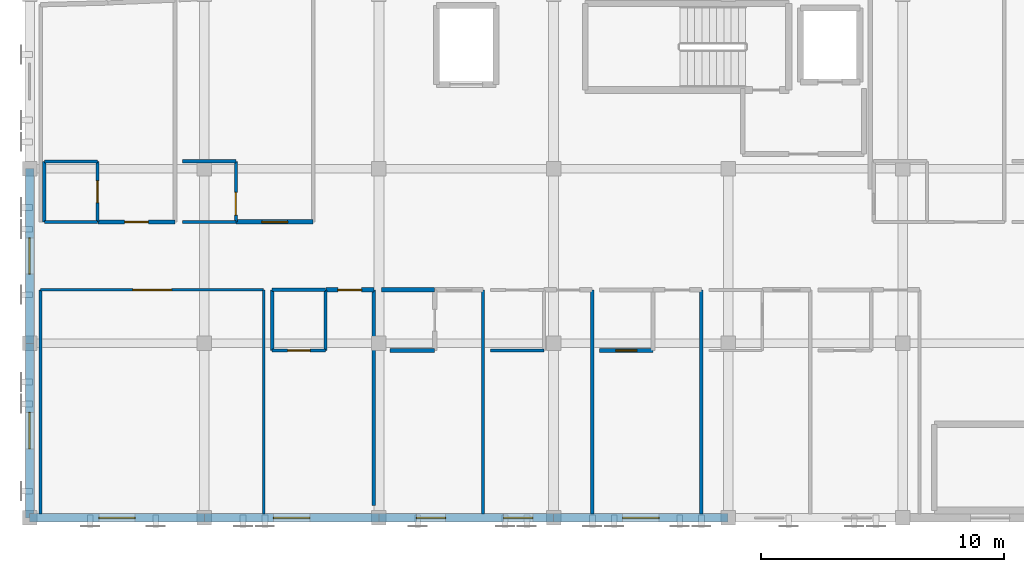
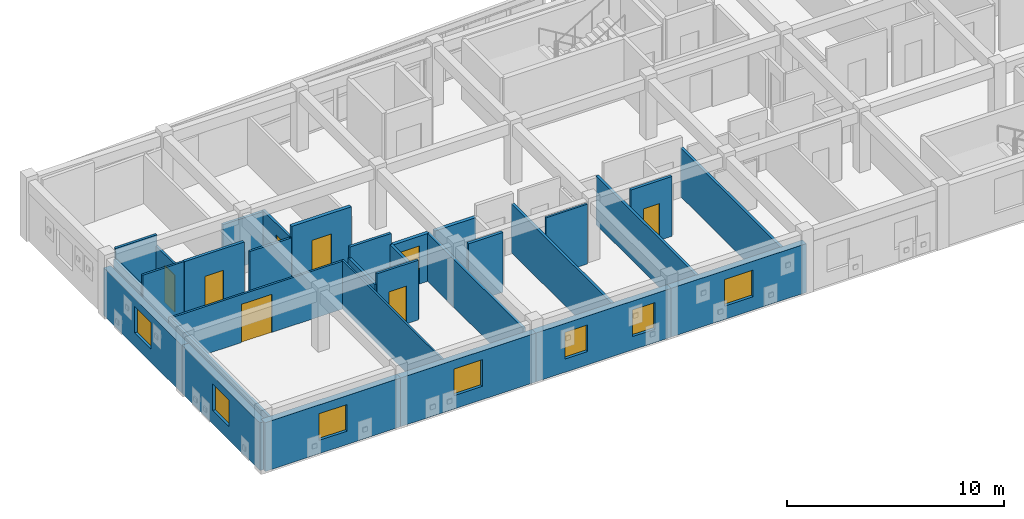
# One storey, part 38 of 51: 31 walls, 8 doors, 7 windows, 15 openings.
"""IFC4 building model written with IfcOpenShell, lengths in metres."""

from ifc_helpers import new_model, si_unit, direction, frame, frame_2d, origin, place, context, subcontext, project, spatial, rectangle, extrude, material, layer, layer_set, type_object, element, fill, save


model = new_model("IFC4")

# Units and contexts
model_context = context("Model", 3, precision=1e-05, world=origin(), true_north=direction((0.0, 1.0)))
body_context = subcontext(model_context, "Body", "Model", "MODEL_VIEW")
ifc_project = project(units=[si_unit("LENGTHUNIT", "METRE"), si_unit("AREAUNIT", "SQUARE_METRE"), si_unit("VOLUMEUNIT", "CUBIC_METRE"), si_unit("PLANEANGLEUNIT", "RADIAN"), si_unit("MASSUNIT", "GRAM", prefix="KILO")], contexts=[model_context])

# Site, building, storey
site_placement = place(None, origin())
site = spatial("IfcSite", under=ifc_project, at=site_placement, CompositionType="ELEMENT")
building_placement = place(site_placement, origin())
building = spatial("IfcBuilding", under=site, at=building_placement, Name="Carrowvane Square Congress Hotel", CompositionType="ELEMENT")
storey_placement = place(building_placement, frame((0.0, 0.0, 30.0)))
storey = spatial("IfcBuildingStorey", under=building, at=storey_placement, Name="L07", CompositionType="ELEMENT", Elevation=30.0)

# Wall, opening, window
ifc_material_1 = material(Name="Glazed terracotta rainscreen", Category="masonry")
ifc_layer_1 = layer(ifc_material_1, 0.360107421875)
ifc_layer_set_1 = layer_set([ifc_layer_1], Name="Glazed terracotta rainscreen")
wall_type_1 = type_object("IfcWallType", Name="WL-EXT-TC360", PredefinedType="STANDARD", material=ifc_layer_set_1)
wall_1_placement = place(storey_placement, frame((62.0, 91.800048828125, 0.0), z_axis=(0.0, 0.0, 1.0), x_axis=(-1.0, 0.0, 0.0)))
wall_1 = element("IfcWall", 1, at=wall_1_placement, inside=storey, type_object=wall_type_1, Name="L07 exterior facade wall 528", PredefinedType="STANDARD", context=body_context, shape_type="SweptSolid", body=[
    extrude(rectangle(XDim=7.199951171875, YDim=0.360107421875, at=frame_2d((3.60009765625, 0.0))), origin(), (0.0, 0.0, 1.0), 2.7451171875),
])
opening_1_placement = place(wall_1_placement, frame((2.85009765625, 0.0, 0.75)))
opening_1 = element("IfcOpeningElement", 2, at=opening_1_placement, cuts=wall_1, Name="Opening W-15", PredefinedType="OPENING", context=body_context, shape_type="SweptSolid", body=[
    extrude(rectangle(XDim=1.5, YDim=1.5, at=frame_2d((0.75, 0.75))), frame((0.0, 0.18994140625, 0.0), z_axis=(0.0, -1.0, 0.0), x_axis=(1.0, 0.0, 0.0)), (0.0, 0.0, 1.0), 0.380126953125),
])
ifc_material_2 = material(Name="Double-glazed low-E glass", Category="glass")
window_type_1 = type_object("IfcWindowType", Name="WIN-15", PartitioningType="SINGLE_PANEL", PredefinedType="WINDOW", material=ifc_material_2)
window_1_placement = place(opening_1_placement, origin())
window_1 = element("IfcWindow", 3, at=window_1_placement, inside=storey, type_object=window_type_1, Name="L07 facade window 367", OverallHeight=1.5, OverallWidth=1.5, PartitioningType="SINGLE_PANEL", PredefinedType="WINDOW", context=body_context, shape_type="SweptSolid", body=[
    extrude(rectangle(XDim=1.5, YDim=1.5, at=frame_2d((0.75, 0.75))), frame((0.0, 0.030029296875, 0.0), z_axis=(0.0, -1.0, 0.0), x_axis=(1.0, 0.0, 0.0)), (0.0, 0.0, 1.0), 0.06005859375),
])
fill(opening_1, window_1)

# Wall, openings, windows
wall_2_placement = place(storey_placement, frame((54.800048828125, 91.800048828125, 0.0), z_axis=(0.0, 0.0, 1.0), x_axis=(-1.0, 0.0, 0.0)))
wall_2 = element("IfcWall", 4, at=wall_2_placement, inside=storey, type_object=wall_type_1, Name="L07 exterior facade wall 529", PredefinedType="STANDARD", context=body_context, shape_type="SweptSolid", body=[
    extrude(rectangle(XDim=7.199951171875, YDim=0.360107421875, at=frame_2d((3.60009765625, 0.0))), origin(), (0.0, 0.0, 1.0), 2.7451171875),
])
opening_2_placement = place(wall_2_placement, frame((0.85498046875, 0.0, 0.75)))
opening_2 = element("IfcOpeningElement", 5, at=opening_2_placement, cuts=wall_2, Name="Opening W-01", PredefinedType="OPENING", context=body_context, shape_type="SweptSolid", body=[
    extrude(rectangle(XDim=1.199951171875, YDim=1.5, at=frame_2d((0.60009765625, 0.75))), frame((0.0, 0.18994140625, 0.0), z_axis=(0.0, -1.0, 0.0), x_axis=(1.0, 0.0, 0.0)), (0.0, 0.0, 1.0), 0.380126953125),
])
opening_3_placement = place(wall_2_placement, frame((4.455078125, 0.0, 0.75)))
opening_3 = element("IfcOpeningElement", 6, at=opening_3_placement, cuts=wall_2, Name="Opening W-01", PredefinedType="OPENING", context=body_context, shape_type="SweptSolid", body=[
    extrude(rectangle(XDim=1.199951171875, YDim=1.5, at=frame_2d((0.60009765625, 0.75))), frame((0.0, 0.18994140625, 0.0), z_axis=(0.0, -1.0, 0.0), x_axis=(1.0, 0.0, 0.0)), (0.0, 0.0, 1.0), 0.380126953125),
])
ifc_material_3 = material(Name="Double-glazed low-E glass", Category="glass")
window_type_2 = type_object("IfcWindowType", Name="WIN-01", PartitioningType="SINGLE_PANEL", PredefinedType="WINDOW", material=ifc_material_3)
window_2_placement = place(opening_2_placement, origin())
window_2 = element("IfcWindow", 7, at=window_2_placement, inside=storey, type_object=window_type_2, Name="L07 facade window 368", OverallHeight=1.5, OverallWidth=1.199951171875, PartitioningType="SINGLE_PANEL", PredefinedType="WINDOW", context=body_context, shape_type="SweptSolid", body=[
    extrude(rectangle(XDim=1.199951171875, YDim=1.5, at=frame_2d((0.60009765625, 0.75))), frame((0.0, 0.030029296875, 0.0), z_axis=(0.0, -1.0, 0.0), x_axis=(1.0, 0.0, 0.0)), (0.0, 0.0, 1.0), 0.06005859375),
])
fill(opening_2, window_2)
window_3_placement = place(opening_3_placement, origin())
window_3 = element("IfcWindow", 8, at=window_3_placement, inside=storey, type_object=window_type_2, Name="L07 split-bay facade window WIN-L07-0368-1", OverallHeight=1.5, OverallWidth=1.199951171875, PartitioningType="SINGLE_PANEL", PredefinedType="WINDOW", context=body_context, shape_type="SweptSolid", body=[
    extrude(rectangle(XDim=1.199951171875, YDim=1.5, at=frame_2d((0.60009765625, 0.75))), frame((0.0, 0.030029296875, 0.0), z_axis=(0.0, -1.0, 0.0), x_axis=(1.0, 0.0, 0.0)), (0.0, 0.0, 1.0), 0.06005859375),
])
fill(opening_3, window_3)

# Wall, opening, window
wall_3_placement = place(storey_placement, frame((47.60009765625, 91.800048828125, 0.0), z_axis=(0.0, 0.0, 1.0), x_axis=(-1.0, 0.0, 0.0)))
wall_3 = element("IfcWall", 9, at=wall_3_placement, inside=storey, type_object=wall_type_1, Name="L07 exterior facade wall 530", PredefinedType="STANDARD", context=body_context, shape_type="SweptSolid", body=[
    extrude(rectangle(XDim=7.2001953125, YDim=0.360107421875, at=frame_2d((3.60009765625, 0.0))), origin(), (0.0, 0.0, 1.0), 2.7451171875),
])
opening_4_placement = place(wall_3_placement, frame((2.85009765625, 0.0, 0.75)))
opening_4 = element("IfcOpeningElement", 10, at=opening_4_placement, cuts=wall_3, Name="Opening W-15", PredefinedType="OPENING", context=body_context, shape_type="SweptSolid", body=[
    extrude(rectangle(XDim=1.5, YDim=1.5, at=frame_2d((0.75, 0.75))), frame((0.0, 0.18994140625, 0.0), z_axis=(0.0, -1.0, 0.0), x_axis=(1.0, 0.0, 0.0)), (0.0, 0.0, 1.0), 0.380126953125),
])
window_4_placement = place(opening_4_placement, origin())
window_4 = element("IfcWindow", 11, at=window_4_placement, inside=storey, type_object=window_type_1, Name="L07 facade window 369", OverallHeight=1.5, OverallWidth=1.5, PartitioningType="SINGLE_PANEL", PredefinedType="WINDOW", context=body_context, shape_type="SweptSolid", body=[
    extrude(rectangle(XDim=1.5, YDim=1.5, at=frame_2d((0.75, 0.75))), frame((0.0, 0.030029296875, 0.0), z_axis=(0.0, -1.0, 0.0), x_axis=(1.0, 0.0, 0.0)), (0.0, 0.0, 1.0), 0.06005859375),
])
fill(opening_4, window_4)

wall_4_placement = place(storey_placement, frame((40.39990234375, 91.800048828125, 0.0), z_axis=(0.0, 0.0, 1.0), x_axis=(-1.0, 0.0, 0.0)))
wall_4 = element("IfcWall", 12, at=wall_4_placement, inside=storey, type_object=wall_type_1, Name="L07 exterior facade wall 531", PredefinedType="STANDARD", context=body_context, shape_type="SweptSolid", body=[
    extrude(rectangle(XDim=7.199951171875, YDim=0.360107421875, at=frame_2d((3.60009765625, 0.0))), origin(), (0.0, 0.0, 1.0), 2.7451171875),
])
opening_5_placement = place(wall_4_placement, frame((2.85009765625, 0.0, 0.75)))
opening_5 = element("IfcOpeningElement", 13, at=opening_5_placement, cuts=wall_4, Name="Opening W-15", PredefinedType="OPENING", context=body_context, shape_type="SweptSolid", body=[
    extrude(rectangle(XDim=1.5, YDim=1.5, at=frame_2d((0.75, 0.75))), frame((0.0, 0.18994140625, 0.0), z_axis=(0.0, -1.0, 0.0), x_axis=(1.0, 0.0, 0.0)), (0.0, 0.0, 1.0), 0.380126953125),
])
window_5_placement = place(opening_5_placement, origin())
window_5 = element("IfcWindow", 14, at=window_5_placement, inside=storey, type_object=window_type_1, Name="L07 facade window 370", OverallHeight=1.5, OverallWidth=1.5, PartitioningType="SINGLE_PANEL", PredefinedType="WINDOW", context=body_context, shape_type="SweptSolid", body=[
    extrude(rectangle(XDim=1.5, YDim=1.5, at=frame_2d((0.75, 0.75))), frame((0.0, 0.030029296875, 0.0), z_axis=(0.0, -1.0, 0.0), x_axis=(1.0, 0.0, 0.0)), (0.0, 0.0, 1.0), 0.06005859375),
])
fill(opening_5, window_5)

wall_5_placement = place(storey_placement, frame((33.199951171875, 91.800048828125, 0.0), z_axis=(0.0, 0.0, 1.0), x_axis=(0.0, 1.0, 0.0)))
wall_5 = element("IfcWall", 15, at=wall_5_placement, inside=storey, type_object=wall_type_1, Name="L07 exterior facade wall 532", PredefinedType="STANDARD", context=body_context, shape_type="SweptSolid", body=[
    extrude(rectangle(XDim=7.199951171875, YDim=0.360107421875, at=frame_2d((3.60009765625, 0.0))), origin(), (0.0, 0.0, 1.0), 2.695068359375),
])
opening_6_placement = place(wall_5_placement, frame((2.85009765625, 0.0, 0.75)))
opening_6 = element("IfcOpeningElement", 16, at=opening_6_placement, cuts=wall_5, Name="Opening W-15", PredefinedType="OPENING", context=body_context, shape_type="SweptSolid", body=[
    extrude(rectangle(XDim=1.5, YDim=1.5, at=frame_2d((0.75, 0.75))), frame((0.0, 0.18994140625, 0.0), z_axis=(0.0, -1.0, 0.0), x_axis=(1.0, 0.0, 0.0)), (0.0, 0.0, 1.0), 0.380126953125),
])
window_6_placement = place(opening_6_placement, origin())
window_6 = element("IfcWindow", 17, at=window_6_placement, inside=storey, type_object=window_type_1, Name="L07 facade window 371", OverallHeight=1.5, OverallWidth=1.5, PartitioningType="SINGLE_PANEL", PredefinedType="WINDOW", context=body_context, shape_type="SweptSolid", body=[
    extrude(rectangle(XDim=1.5, YDim=1.5, at=frame_2d((0.75, 0.75))), frame((0.0, 0.030029296875, 0.0), z_axis=(0.0, -1.0, 0.0), x_axis=(1.0, 0.0, 0.0)), (0.0, 0.0, 1.0), 0.06005859375),
])
fill(opening_6, window_6)

wall_6_placement = place(storey_placement, frame((33.199951171875, 99.0, 0.0), z_axis=(0.0, 0.0, 1.0), x_axis=(0.0, 1.0, 0.0)))
wall_6 = element("IfcWall", 18, at=wall_6_placement, inside=storey, type_object=wall_type_1, Name="L07 exterior facade wall 533", PredefinedType="STANDARD", context=body_context, shape_type="SweptSolid", body=[
    extrude(rectangle(XDim=7.199951171875, YDim=0.360107421875, at=frame_2d((3.60009765625, 0.0))), origin(), (0.0, 0.0, 1.0), 2.695068359375),
])
opening_7_placement = place(wall_6_placement, frame((2.85009765625, 0.0, 0.75)))
opening_7 = element("IfcOpeningElement", 19, at=opening_7_placement, cuts=wall_6, Name="Opening W-15", PredefinedType="OPENING", context=body_context, shape_type="SweptSolid", body=[
    extrude(rectangle(XDim=1.5, YDim=1.5, at=frame_2d((0.75, 0.75))), frame((0.0, 0.18994140625, 0.0), z_axis=(0.0, -1.0, 0.0), x_axis=(1.0, 0.0, 0.0)), (0.0, 0.0, 1.0), 0.380126953125),
])
window_7_placement = place(opening_7_placement, origin())
window_7 = element("IfcWindow", 20, at=window_7_placement, inside=storey, type_object=window_type_1, Name="L07 facade window 372", OverallHeight=1.5, OverallWidth=1.5, PartitioningType="SINGLE_PANEL", PredefinedType="WINDOW", context=body_context, shape_type="SweptSolid", body=[
    extrude(rectangle(XDim=1.5, YDim=1.5, at=frame_2d((0.75, 0.75))), frame((0.0, 0.030029296875, 0.0), z_axis=(0.0, -1.0, 0.0), x_axis=(1.0, 0.0, 0.0)), (0.0, 0.0, 1.0), 0.06005859375),
])
fill(opening_7, window_7)

# Wall
ifc_material_4 = material(Name="Acoustic gypsum board", Category="gypsum")
ifc_layer_2 = layer(ifc_material_4, 0.155029296875)
ifc_layer_set_2 = layer_set([ifc_layer_2], Name="Acoustic gypsum board")
wall_type_2 = type_object("IfcWallType", Name="WL-FIR-155", PredefinedType="PARTITIONING", material=ifc_layer_set_2)
wall_7_placement = place(storey_placement, frame((49.89990234375, 98.699951171875, 0.0), z_axis=(0.0, 0.0, 1.0), x_axis=(-1.0, 0.0, 0.0)))
element("IfcWall", 21, at=wall_7_placement, inside=storey, type_object=wall_type_2, Name="L07 En-suite Bathroom 0702 partition", PredefinedType="PARTITIONING", context=body_context, shape_type="SweptSolid", body=[
    extrude(rectangle(XDim=1.83984375, YDim=0.155029296875, at=frame_2d((0.919921875, 0.0))), origin(), (0.0, 0.0, 1.0), 3.360107421875),
])

# Wall, opening, door
ifc_material_5 = material(Name="Acoustic gypsum board", Category="gypsum")
ifc_layer_3 = layer(ifc_material_5, 0.18505859375)
ifc_layer_set_3 = layer_set([ifc_layer_3], Name="Acoustic gypsum board")
wall_type_3 = type_object("IfcWallType", Name="WL-FIR-185", PredefinedType="PARTITIONING", material=ifc_layer_set_3)
wall_8_placement = place(storey_placement, frame((45.409912109375, 101.199951171875, 0.0), z_axis=(0.0, 0.0, 1.0), x_axis=(1.0, 0.0, 0.0)))
wall_8 = element("IfcWall", 22, at=wall_8_placement, inside=storey, type_object=wall_type_3, Name="L07 Hotel Guest Bedroom 0701 partition", PredefinedType="PARTITIONING", context=body_context, shape_type="SweptSolid", body=[
    extrude(rectangle(XDim=1.97998046875, YDim=0.18505859375, at=frame_2d((0.989990234375, 0.0))), origin(), (0.0, 0.0, 1.0), 2.695068359375),
])
opening_8_placement = place(wall_8_placement, frame((0.5, 0.0, 0.0)))
opening_8 = element("IfcOpeningElement", 23, at=opening_8_placement, cuts=wall_8, Name="Opening FD-07", PredefinedType="OPENING", context=body_context, shape_type="SweptSolid", body=[
    extrude(rectangle(XDim=0.97998046875, YDim=2.14990234375, at=frame_2d((0.489990234375, 1.074951171875))), frame((0.0, 0.1025390625, 0.0), z_axis=(0.0, -1.0, 0.0), x_axis=(1.0, 0.0, 0.0)), (0.0, 0.0, 1.0), 0.205078125),
])
ifc_material_6 = material(Name="European oak timber", Category="wood")
door_type_1 = type_object("IfcDoorType", Name="DR-FD30-0980x2150", OperationType="NOTDEFINED", PredefinedType="DOOR", material=ifc_material_6)
door_1_placement = place(opening_8_placement, origin())
door_1 = element("IfcDoor", 24, at=door_1_placement, inside=storey, type_object=door_type_1, Name="L07 Hotel Guest Bedroom 0701 entrance door", OperationType="SINGLE_SWING_RIGHT", OverallHeight=2.14990234375, OverallWidth=0.97998046875, PredefinedType="DOOR", context=body_context, shape_type="SweptSolid", body=[
    extrude(rectangle(XDim=0.97998046875, YDim=2.14990234375, at=frame_2d((0.489990234375, 1.074951171875))), frame((0.0, 0.02490234375, 0.0), z_axis=(0.0, -1.0, 0.0), x_axis=(1.0, 0.0, 0.0)), (0.0, 0.0, 1.0), 0.050048828125),
])
fill(opening_8, door_1)

# Wall
wall_9_placement = place(storey_placement, frame((47.699951171875, 101.199951171875, 0.0), z_axis=(0.0, 0.0, 1.0), x_axis=(1.0, 0.0, 0.0)))
element("IfcWall", 25, at=wall_9_placement, inside=storey, type_object=wall_type_3, Name="L07 En-suite Bathroom 0702 partition", PredefinedType="PARTITIONING", context=body_context, shape_type="SweptSolid", body=[
    extrude(rectangle(XDim=2.199951171875, YDim=0.18505859375, at=frame_2d((1.10009765625, 0.0))), origin(), (0.0, 0.0, 1.0), 2.695068359375),
])

# Wall, opening, door
wall_10_placement = place(storey_placement, frame((44.889892578125, 104.0, 0.0), z_axis=(0.0, 0.0, 1.0), x_axis=(-1.0, 0.0, 0.0)))
wall_10 = element("IfcWall", 26, at=wall_10_placement, inside=storey, type_object=wall_type_3, Name="L07 Parkview Suite 0712 partition", PredefinedType="PARTITIONING", context=body_context, shape_type="SweptSolid", body=[
    extrude(rectangle(XDim=3.179931640625, YDim=0.18505859375, at=frame_2d((1.58984375, 0.0))), origin(), (0.0, 0.0, 1.0), 3.360107421875),
])
opening_9_placement = place(wall_10_placement, frame((1.06005859375, 0.0, 0.0)))
opening_9 = element("IfcOpeningElement", 27, at=opening_9_placement, cuts=wall_10, Name="Opening FD-09", PredefinedType="OPENING", context=body_context, shape_type="SweptSolid", body=[
    extrude(rectangle(XDim=1.06005859375, YDim=2.199951171875, at=frame_2d((0.530029296875, 1.10009765625))), frame((0.0, 0.1025390625, 0.0), z_axis=(0.0, -1.0, 0.0), x_axis=(1.0, 0.0, 0.0)), (0.0, 0.0, 1.0), 0.205078125),
])
ifc_material_7 = material(Name="European oak timber", Category="wood")
door_type_2 = type_object("IfcDoorType", Name="DR-FD30-1060x2200", OperationType="NOTDEFINED", PredefinedType="DOOR", material=ifc_material_7)
door_2_placement = place(opening_9_placement, origin())
door_2 = element("IfcDoor", 28, at=door_2_placement, inside=storey, type_object=door_type_2, Name="L07 Parkview Suite 0712 entrance door", OperationType="SINGLE_SWING_RIGHT", OverallHeight=2.199951171875, OverallWidth=1.06005859375, PredefinedType="DOOR", context=body_context, shape_type="SweptSolid", body=[
    extrude(rectangle(XDim=1.06005859375, YDim=2.199951171875, at=frame_2d((0.530029296875, 1.10009765625))), frame((0.0, 0.02490234375, 0.0), z_axis=(0.0, -1.0, 0.0), x_axis=(1.0, 0.0, 0.0)), (0.0, 0.0, 1.0), 0.050048828125),
])
fill(opening_9, door_2)

# Wall
ifc_material_8 = material(Name="Acoustic gypsum board", Category="gypsum")
ifc_layer_4 = layer(ifc_material_8, 0.097900390625)
ifc_layer_set_4 = layer_set([ifc_layer_4], Name="Acoustic gypsum board")
wall_type_4 = type_object("IfcWallType", Name="WL-PRT-098", PredefinedType="PARTITIONING", material=ifc_layer_set_4)
wall_11_placement = place(storey_placement, frame((42.85009765625, 101.199951171875, 0.0), z_axis=(0.0, 0.0, 1.0), x_axis=(0.0, -1.0, 0.0)))
element("IfcWall", 29, at=wall_11_placement, inside=storey, type_object=wall_type_4, Name="L07 L07 Atrium Tea Salon partition", PredefinedType="PARTITIONING", context=body_context, shape_type="SweptSolid", body=[
    extrude(rectangle(XDim=9.239990234375, YDim=0.097900390625, at=frame_2d((4.6201171875, 0.0))), origin(), (0.0, 0.0, 1.0), 2.7451171875),
])

# Wall, opening, door
ifc_material_9 = material(Name="Acoustic gypsum board", Category="gypsum")
ifc_layer_5 = layer(ifc_material_9, 0.10791015625)
ifc_layer_set_5 = layer_set([ifc_layer_5], Name="Acoustic gypsum board")
wall_type_5 = type_object("IfcWallType", Name="WL-PRT-108", PredefinedType="PARTITIONING", material=ifc_layer_set_5)
wall_12_placement = place(storey_placement, frame((33.64990234375, 101.199951171875, 0.0), z_axis=(0.0, 0.0, 1.0), x_axis=(1.0, 0.0, 0.0)))
wall_12 = element("IfcWall", 30, at=wall_12_placement, inside=storey, type_object=wall_type_5, Name="L07 L07 Atrium Tea Salon partition", PredefinedType="PARTITIONING", context=body_context, shape_type="SweptSolid", body=[
    extrude(rectangle(XDim=9.2001953125, YDim=0.10791015625, at=frame_2d((4.60009765625, 0.0))), origin(), (0.0, 0.0, 1.0), 2.695068359375),
])
opening_10_placement = place(wall_12_placement, frame((3.800048828125, 0.0, 0.0)))
opening_10 = element("IfcOpeningElement", 31, at=opening_10_placement, cuts=wall_12, Name="Opening FD-04", PredefinedType="OPENING", context=body_context, shape_type="SweptSolid", body=[
    extrude(rectangle(XDim=1.60009765625, YDim=2.14990234375, at=frame_2d((0.800048828125, 1.074951171875))), frame((0.0, 0.06396484375, 0.0), z_axis=(0.0, -1.0, 0.0), x_axis=(1.0, 0.0, 0.0)), (0.0, 0.0, 1.0), 0.1279296875),
])
ifc_material_10 = material(Name="European oak timber", Category="wood")
door_type_3 = type_object("IfcDoorType", Name="DR-FD60-1600x2150", OperationType="DOUBLE_DOOR_SINGLE_SWING", PredefinedType="DOOR", material=ifc_material_10)
door_3_placement = place(opening_10_placement, origin())
door_3 = element("IfcDoor", 32, at=door_3_placement, inside=storey, type_object=door_type_3, Name="L07 L07 Atrium Tea Salon entrance door", OperationType="DOUBLE_DOOR_SINGLE_SWING", OverallHeight=2.14990234375, OverallWidth=1.60009765625, PredefinedType="DOOR", context=body_context, shape_type="SweptSolid", body=[
    extrude(rectangle(XDim=1.60009765625, YDim=2.14990234375, at=frame_2d((0.800048828125, 1.074951171875))), frame((0.0, 0.02490234375, 0.0), z_axis=(0.0, -1.0, 0.0), x_axis=(1.0, 0.0, 0.0)), (0.0, 0.0, 1.0), 0.050048828125),
])
fill(opening_10, door_3)

# Walls
for number, where, z_axis, x_axis, name in (
    (33, (54.39990234375, 98.699951171875, 0.0), (0.0, 0.0, 1.0), (-1.0, 0.0, 0.0), "L07 En-suite Bathroom 0703 partition"),
    (34, (36.0, 104.0, 0.0), (0.0, 0.0, 1.0), (-1.0, 0.0, 0.0), "L07 En-suite Bathroom 0711 partition"),
):
    element("IfcWall", number, at=place(storey_placement, frame(where, z_axis=z_axis, x_axis=x_axis)), inside=storey, type_object=wall_type_5, Name=name, PredefinedType="PARTITIONING", context=body_context, shape_type="SweptSolid", body=[
        extrude(rectangle(XDim=2.199951171875, YDim=0.10791015625, at=frame_2d((1.10009765625, 0.0))), origin(), (0.0, 0.0, 1.0), 3.360107421875),
    ])
ifc_material_11 = material(Name="Acoustic gypsum board", Category="gypsum")
ifc_layer_6 = layer(ifc_material_11, 0.117919921875)
ifc_layer_set_6 = layer_set([ifc_layer_6], Name="Acoustic gypsum board")
wall_type_6 = type_object("IfcWallType", Name="WL-PRT-118", PredefinedType="PARTITIONING", material=ifc_layer_set_6)
wall_13_placement = place(storey_placement, frame((33.64990234375, 91.9599609375, 0.0), z_axis=(0.0, 0.0, 1.0), x_axis=(0.0, 1.0, 0.0)))
element("IfcWall", 35, at=wall_13_placement, inside=storey, type_object=wall_type_6, Name="L07 L07 Atrium Tea Salon partition", PredefinedType="PARTITIONING", context=body_context, shape_type="SweptSolid", body=[
    extrude(rectangle(XDim=9.239990234375, YDim=0.117919921875, at=frame_2d((4.6201171875, 0.0))), origin(), (0.0, 0.0, 1.0), 2.7451171875),
])

# Wall, opening, door
wall_14_placement = place(storey_placement, frame((45.39990234375, 98.699951171875, 0.0), z_axis=(0.0, 0.0, 1.0), x_axis=(-1.0, 0.0, 0.0)))
wall_14 = element("IfcWall", 36, at=wall_14_placement, inside=storey, type_object=wall_type_6, Name="L07 En-suite Bathroom 0701 partition", PredefinedType="PARTITIONING", context=body_context, shape_type="SweptSolid", body=[
    extrude(rectangle(XDim=2.199951171875, YDim=0.117919921875, at=frame_2d((1.10009765625, 0.0))), origin(), (0.0, 0.0, 1.0), 3.360107421875),
])
opening_11_placement = place(wall_14_placement, frame((0.635009765625, 0.0, 0.0)))
opening_11 = element("IfcOpeningElement", 37, at=opening_11_placement, cuts=wall_14, Name="Opening ID-18", PredefinedType="OPENING", context=body_context, shape_type="SweptSolid", body=[
    extrude(rectangle(XDim=0.929931640625, YDim=2.1298828125, at=frame_2d((0.46484375, 1.06494140625))), frame((0.0, 0.06884765625, 0.0), z_axis=(0.0, -1.0, 0.0), x_axis=(1.0, 0.0, 0.0)), (0.0, 0.0, 1.0), 0.137939453125),
])
ifc_material_12 = material(Name="European oak timber", Category="wood")
door_type_4 = type_object("IfcDoorType", Name="DR-INT-0930x2130", OperationType="NOTDEFINED", PredefinedType="DOOR", material=ifc_material_12)
door_4_placement = place(opening_11_placement, origin())
door_4 = element("IfcDoor", 38, at=door_4_placement, inside=storey, type_object=door_type_4, Name="L07 En-suite Bathroom 0701 door", OperationType="SINGLE_SWING_LEFT", OverallHeight=2.1298828125, OverallWidth=0.929931640625, PredefinedType="DOOR", context=body_context, shape_type="SweptSolid", body=[
    extrude(rectangle(XDim=0.929931640625, YDim=2.1298828125, at=frame_2d((0.46484375, 1.06494140625))), frame((0.0, 0.02490234375, 0.0), z_axis=(0.0, -1.0, 0.0), x_axis=(1.0, 0.0, 0.0)), (0.0, 0.0, 1.0), 0.050048828125),
])
fill(opening_11, door_4)

wall_15_placement = place(storey_placement, frame((36.0, 106.5, 0.0), z_axis=(0.0, 0.0, 1.0), x_axis=(0.0, -1.0, 0.0)))
wall_15 = element("IfcWall", 39, at=wall_15_placement, inside=storey, type_object=wall_type_6, Name="L07 En-suite Bathroom 0711 partition", PredefinedType="PARTITIONING", context=body_context, shape_type="SweptSolid", body=[
    extrude(rectangle(XDim=2.5, YDim=0.117919921875, at=frame_2d((1.25, 0.0))), origin(), (0.0, 0.0, 1.0), 2.7451171875),
])
opening_12_placement = place(wall_15_placement, frame((0.800048828125, 0.0, 0.0)))
opening_12 = element("IfcOpeningElement", 40, at=opening_12_placement, cuts=wall_15, Name="Opening ID-02", PredefinedType="OPENING", context=body_context, shape_type="SweptSolid", body=[
    extrude(rectangle(XDim=0.89990234375, YDim=2.080078125, at=frame_2d((0.449951171875, 1.0400390625))), frame((0.0, 0.06884765625, 0.0), z_axis=(0.0, -1.0, 0.0), x_axis=(1.0, 0.0, 0.0)), (0.0, 0.0, 1.0), 0.137939453125),
])
ifc_material_13 = material(Name="European oak timber", Category="wood")
door_type_5 = type_object("IfcDoorType", Name="DR-INT-0900x2080", OperationType="NOTDEFINED", PredefinedType="DOOR", material=ifc_material_13)
door_5_placement = place(opening_12_placement, origin())
door_5 = element("IfcDoor", 41, at=door_5_placement, inside=storey, type_object=door_type_5, Name="L07 En-suite Bathroom 0711 door", OperationType="SINGLE_SWING_LEFT", OverallHeight=2.080078125, OverallWidth=0.89990234375, PredefinedType="DOOR", context=body_context, shape_type="SweptSolid", body=[
    extrude(rectangle(XDim=0.89990234375, YDim=2.080078125, at=frame_2d((0.449951171875, 1.0400390625))), frame((0.0, 0.02490234375, 0.0), z_axis=(0.0, -1.0, 0.0), x_axis=(1.0, 0.0, 0.0)), (0.0, 0.0, 1.0), 0.050048828125),
])
fill(opening_12, door_5)

# Walls
wall_16_placement = place(storey_placement, frame((41.699951171875, 104.0, 0.0), z_axis=(0.0, 0.0, 1.0), x_axis=(-1.0, 0.0, 0.0)))
element("IfcWall", 42, at=wall_16_placement, inside=storey, type_object=wall_type_6, Name="L07 En-suite Bathroom 0712 partition", PredefinedType="PARTITIONING", context=body_context, shape_type="SweptSolid", body=[
    extrude(rectangle(XDim=2.199951171875, YDim=0.117919921875, at=frame_2d((1.10009765625, 0.0))), origin(), (0.0, 0.0, 1.0), 2.695068359375),
])
ifc_material_14 = material(Name="Acoustic gypsum board", Category="gypsum")
ifc_layer_7 = layer(ifc_material_14, 0.1279296875)
ifc_layer_set_7 = layer_set([ifc_layer_7], Name="Acoustic gypsum board")
wall_type_7 = type_object("IfcWallType", Name="WL-PRT-128", PredefinedType="PARTITIONING", material=ifc_layer_set_7)
wall_17_placement = place(storey_placement, frame((45.39990234375, 101.199951171875, 0.0), z_axis=(0.0, 0.0, 1.0), x_axis=(0.0, -1.0, 0.0)))
element("IfcWall", 43, at=wall_17_placement, inside=storey, type_object=wall_type_7, Name="L07 En-suite Bathroom 0701 partition", PredefinedType="PARTITIONING", context=body_context, shape_type="SweptSolid", body=[
    extrude(rectangle(XDim=2.5, YDim=0.1279296875, at=frame_2d((1.25, 0.0))), origin(), (0.0, 0.0, 1.0), 2.7451171875),
])
wall_18_placement = place(storey_placement, frame((33.800048828125, 106.5, 0.0), z_axis=(0.0, 0.0, 1.0), x_axis=(1.0, 0.0, 0.0)))
element("IfcWall", 44, at=wall_18_placement, inside=storey, type_object=wall_type_7, Name="L07 En-suite Bathroom 0711 partition", PredefinedType="PARTITIONING", context=body_context, shape_type="SweptSolid", body=[
    extrude(rectangle(XDim=2.199951171875, YDim=0.1279296875, at=frame_2d((1.10009765625, 0.0))), origin(), (0.0, 0.0, 1.0), 3.360107421875),
])

# Wall, opening, door
wall_19_placement = place(storey_placement, frame((41.699951171875, 106.5, 0.0), z_axis=(0.0, 0.0, 1.0), x_axis=(0.0, -1.0, 0.0)))
wall_19 = element("IfcWall", 45, at=wall_19_placement, inside=storey, type_object=wall_type_7, Name="L07 En-suite Bathroom 0712 partition", PredefinedType="PARTITIONING", context=body_context, shape_type="SweptSolid", body=[
    extrude(rectangle(XDim=2.5, YDim=0.1279296875, at=frame_2d((1.25, 0.0))), origin(), (0.0, 0.0, 1.0), 2.7451171875),
])
opening_13_placement = place(wall_19_placement, frame((1.280029296875, 0.0, 0.0)))
opening_13 = element("IfcOpeningElement", 46, at=opening_13_placement, cuts=wall_19, Name="Opening ID-04", PredefinedType="OPENING", context=body_context, shape_type="SweptSolid", body=[
    extrude(rectangle(XDim=0.93994140625, YDim=2.1201171875, at=frame_2d((0.469970703125, 1.06005859375))), frame((0.0, 0.073974609375, 0.0), z_axis=(0.0, -1.0, 0.0), x_axis=(1.0, 0.0, 0.0)), (0.0, 0.0, 1.0), 0.14794921875),
])
ifc_material_15 = material(Name="European oak timber", Category="wood")
door_type_6 = type_object("IfcDoorType", Name="DR-INT-0940x2120", OperationType="NOTDEFINED", PredefinedType="DOOR", material=ifc_material_15)
door_6_placement = place(opening_13_placement, origin())
door_6 = element("IfcDoor", 47, at=door_6_placement, inside=storey, type_object=door_type_6, Name="L07 En-suite Bathroom 0712 door", OperationType="SINGLE_SWING_LEFT", OverallHeight=2.1201171875, OverallWidth=0.93994140625, PredefinedType="DOOR", context=body_context, shape_type="SweptSolid", body=[
    extrude(rectangle(XDim=0.93994140625, YDim=2.1201171875, at=frame_2d((0.469970703125, 1.06005859375))), frame((0.0, 0.02490234375, 0.0), z_axis=(0.0, -1.0, 0.0), x_axis=(1.0, 0.0, 0.0)), (0.0, 0.0, 1.0), 0.050048828125),
])
fill(opening_13, door_6)

# Walls
ifc_material_16 = material(Name="Acoustic gypsum board", Category="gypsum")
ifc_layer_8 = layer(ifc_material_16, 0.137939453125)
ifc_layer_set_8 = layer_set([ifc_layer_8], Name="Acoustic gypsum board")
wall_type_8 = type_object("IfcWallType", Name="WL-PRT-138", PredefinedType="PARTITIONING", material=ifc_layer_set_8)
wall_20_placement = place(storey_placement, frame((43.199951171875, 101.199951171875, 0.0), z_axis=(0.0, 0.0, 1.0), x_axis=(1.0, 0.0, 0.0)))
element("IfcWall", 48, at=wall_20_placement, inside=storey, type_object=wall_type_8, Name="L07 En-suite Bathroom 0701 partition", PredefinedType="PARTITIONING", context=body_context, shape_type="SweptSolid", body=[
    extrude(rectangle(XDim=2.199951171875, YDim=0.137939453125, at=frame_2d((1.10009765625, 0.0))), origin(), (0.0, 0.0, 1.0), 3.360107421875),
])
wall_21_placement = place(storey_placement, frame((47.389892578125, 101.199951171875, 0.0), z_axis=(0.0, 0.0, 1.0), x_axis=(0.0, -1.0, 0.0)))
element("IfcWall", 49, at=wall_21_placement, inside=storey, type_object=wall_type_8, Name="L07 Hotel Guest Bedroom 0701 partition", PredefinedType="PARTITIONING", context=body_context, shape_type="SweptSolid", body=[
    extrude(rectangle(XDim=8.8798828125, YDim=0.137939453125, at=frame_2d((4.43994140625, 0.0))), origin(), (0.0, 0.0, 1.0), 2.695068359375),
])
for number, where, z_axis, x_axis, name in (
    (50, (51.889892578125, 101.199951171875, 0.0), (0.0, 0.0, 1.0), (0.0, -1.0, 0.0), "L07 Hotel Guest Bedroom 0702 partition"),
    (51, (56.389892578125, 101.199951171875, 0.0), (0.0, 0.0, 1.0), (0.0, -1.0, 0.0), "L07 Hotel Guest Bedroom 0703 partition"),
    (52, (60.889892578125, 101.199951171875, 0.0), (0.0, 0.0, 1.0), (0.0, -1.0, 0.0), "L07 Hotel Guest Bedroom 0704 partition"),
):
    element("IfcWall", number, at=place(storey_placement, frame(where, z_axis=z_axis, x_axis=x_axis)), inside=storey, type_object=wall_type_8, Name=name, PredefinedType="PARTITIONING", context=body_context, shape_type="SweptSolid", body=[
        extrude(rectangle(XDim=9.239990234375, YDim=0.137939453125, at=frame_2d((4.6201171875, 0.0))), origin(), (0.0, 0.0, 1.0), 2.7451171875),
    ])
wall_22_placement = place(storey_placement, frame((33.800048828125, 104.0, 0.0), z_axis=(0.0, 0.0, 1.0), x_axis=(0.0, 1.0, 0.0)))
element("IfcWall", 53, at=wall_22_placement, inside=storey, type_object=wall_type_8, Name="L07 En-suite Bathroom 0711 partition", PredefinedType="PARTITIONING", context=body_context, shape_type="SweptSolid", body=[
    extrude(rectangle(XDim=2.5, YDim=0.137939453125, at=frame_2d((1.25, 0.0))), origin(), (0.0, 0.0, 1.0), 2.7451171875),
])
wall_23_placement = place(storey_placement, frame((39.5, 106.5, 0.0), z_axis=(0.0, 0.0, 1.0), x_axis=(1.0, 0.0, 0.0)))
element("IfcWall", 54, at=wall_23_placement, inside=storey, type_object=wall_type_8, Name="L07 En-suite Bathroom 0712 partition", PredefinedType="PARTITIONING", context=body_context, shape_type="SweptSolid", body=[
    extrude(rectangle(XDim=2.199951171875, YDim=0.137939453125, at=frame_2d((1.10009765625, 0.0))), origin(), (0.0, 0.0, 1.0), 2.695068359375),
])
ifc_material_17 = material(Name="Acoustic gypsum board", Category="gypsum")
ifc_layer_9 = layer(ifc_material_17, 0.14794921875)
ifc_layer_set_9 = layer_set([ifc_layer_9], Name="Acoustic gypsum board")
wall_type_9 = type_object("IfcWallType", Name="WL-PRT-148", PredefinedType="PARTITIONING", material=ifc_layer_set_9)
wall_24_placement = place(storey_placement, frame((43.199951171875, 98.699951171875, 0.0), z_axis=(0.0, 0.0, 1.0), x_axis=(0.0, 1.0, 0.0)))
element("IfcWall", 55, at=wall_24_placement, inside=storey, type_object=wall_type_9, Name="L07 En-suite Bathroom 0701 partition", PredefinedType="PARTITIONING", context=body_context, shape_type="SweptSolid", body=[
    extrude(rectangle(XDim=2.5, YDim=0.14794921875, at=frame_2d((1.25, 0.0))), origin(), (0.0, 0.0, 1.0), 2.7451171875),
])

# Wall, opening, door
wall_25_placement = place(storey_placement, frame((58.89990234375, 98.699951171875, 0.0), z_axis=(0.0, 0.0, 1.0), x_axis=(-1.0, 0.0, 0.0)))
wall_25 = element("IfcWall", 56, at=wall_25_placement, inside=storey, type_object=wall_type_9, Name="L07 En-suite Bathroom 0704 partition", PredefinedType="PARTITIONING", context=body_context, shape_type="SweptSolid", body=[
    extrude(rectangle(XDim=2.199951171875, YDim=0.14794921875, at=frame_2d((1.10009765625, 0.0))), origin(), (0.0, 0.0, 1.0), 3.360107421875),
])
opening_14_placement = place(wall_25_placement, frame((0.6650390625, 0.0, 0.0)))
opening_14 = element("IfcOpeningElement", 57, at=opening_14_placement, cuts=wall_25, Name="Opening ID-15", PredefinedType="OPENING", context=body_context, shape_type="SweptSolid", body=[
    extrude(rectangle(XDim=0.8701171875, YDim=2.070068359375, at=frame_2d((0.43505859375, 1.03515625))), frame((0.0, 0.083984375, 0.0), z_axis=(0.0, -1.0, 0.0), x_axis=(1.0, 0.0, 0.0)), (0.0, 0.0, 1.0), 0.16796875),
])
ifc_material_18 = material(Name="European oak timber", Category="wood")
door_type_7 = type_object("IfcDoorType", Name="DR-INT-0870x2070", OperationType="NOTDEFINED", PredefinedType="DOOR", material=ifc_material_18)
door_7_placement = place(opening_14_placement, origin())
door_7 = element("IfcDoor", 58, at=door_7_placement, inside=storey, type_object=door_type_7, Name="L07 En-suite Bathroom 0704 door", OperationType="SINGLE_SWING_LEFT", OverallHeight=2.070068359375, OverallWidth=0.8701171875, PredefinedType="DOOR", context=body_context, shape_type="SweptSolid", body=[
    extrude(rectangle(XDim=0.8701171875, YDim=2.070068359375, at=frame_2d((0.43505859375, 1.03515625))), frame((0.0, 0.02490234375, 0.0), z_axis=(0.0, -1.0, 0.0), x_axis=(1.0, 0.0, 0.0)), (0.0, 0.0, 1.0), 0.050048828125),
])
fill(opening_14, door_7)

wall_26_placement = place(storey_placement, frame((39.18994140625, 104.0, 0.0), z_axis=(0.0, 0.0, 1.0), x_axis=(-1.0, 0.0, 0.0)))
wall_26 = element("IfcWall", 59, at=wall_26_placement, inside=storey, type_object=wall_type_9, Name="L07 Parkview Suite 0711 partition", PredefinedType="PARTITIONING", context=body_context, shape_type="SweptSolid", body=[
    extrude(rectangle(XDim=3.179931640625, YDim=0.14794921875, at=frame_2d((1.58984375, 0.0))), origin(), (0.0, 0.0, 1.0), 3.360107421875),
])
opening_15_placement = place(wall_26_placement, frame((1.10009765625, 0.0, 0.0)))
opening_15 = element("IfcOpeningElement", 60, at=opening_15_placement, cuts=wall_26, Name="Opening FD-07", PredefinedType="OPENING", context=body_context, shape_type="SweptSolid", body=[
    extrude(rectangle(XDim=0.97998046875, YDim=2.14990234375, at=frame_2d((0.489990234375, 1.074951171875))), frame((0.0, 0.083984375, 0.0), z_axis=(0.0, -1.0, 0.0), x_axis=(1.0, 0.0, 0.0)), (0.0, 0.0, 1.0), 0.16796875),
])
door_8_placement = place(opening_15_placement, origin())
door_8 = element("IfcDoor", 61, at=door_8_placement, inside=storey, type_object=door_type_1, Name="L07 Parkview Suite 0711 entrance door", OperationType="SINGLE_SWING_RIGHT", OverallHeight=2.14990234375, OverallWidth=0.97998046875, PredefinedType="DOOR", context=body_context, shape_type="SweptSolid", body=[
    extrude(rectangle(XDim=0.97998046875, YDim=2.14990234375, at=frame_2d((0.489990234375, 1.074951171875))), frame((0.0, 0.02490234375, 0.0), z_axis=(0.0, -1.0, 0.0), x_axis=(1.0, 0.0, 0.0)), (0.0, 0.0, 1.0), 0.050048828125),
])
fill(opening_15, door_8)

save(model, "model.ifc")
